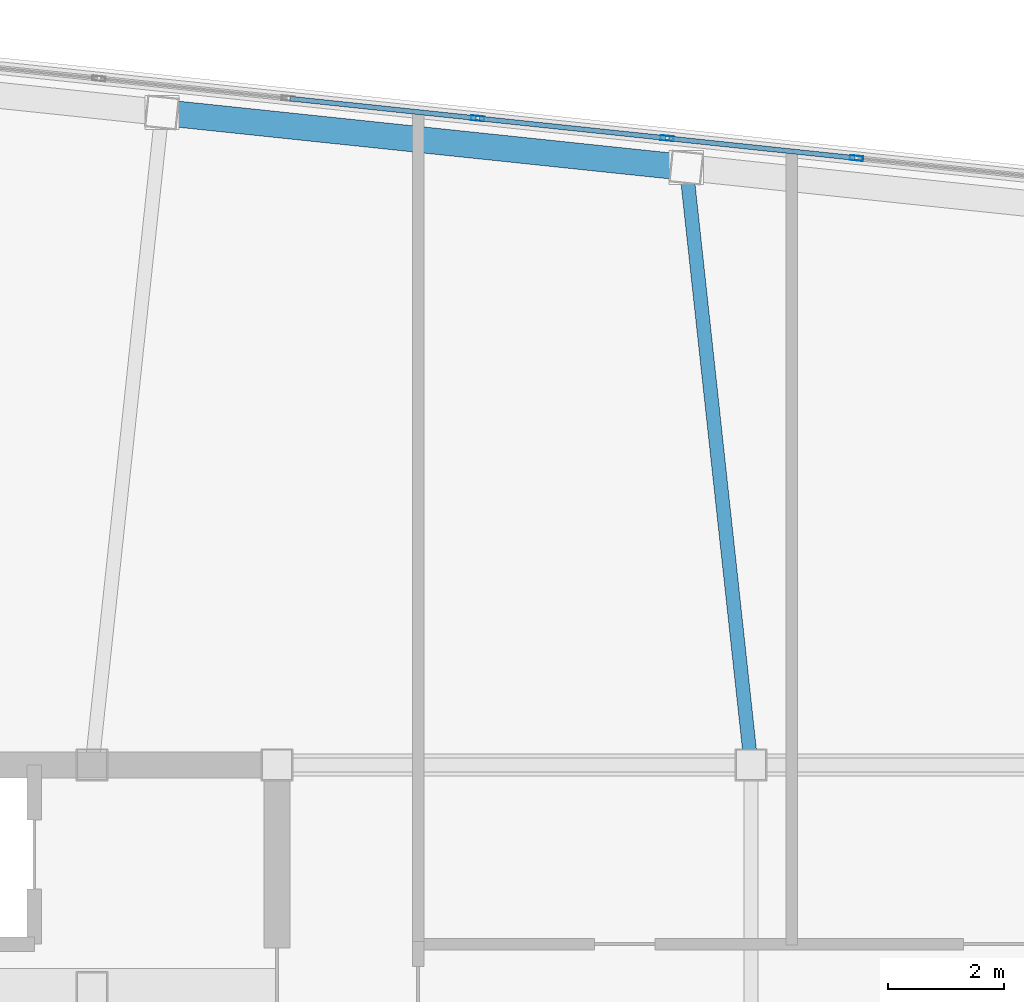
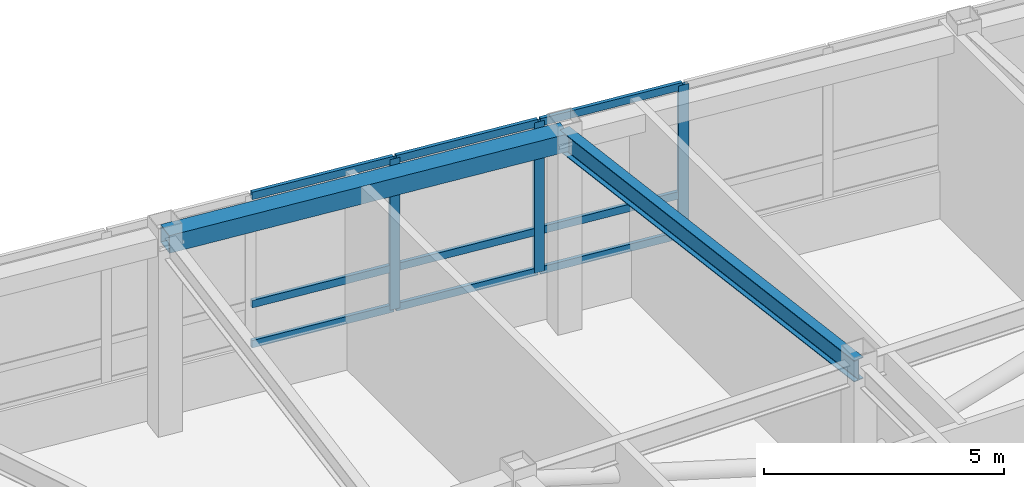
# One storey, part 15 of 23: 12 members, 2 beams, 1 element without a shape of its own.
"""IFC4 building model written with IfcOpenShell, lengths in metres."""

from ifc_helpers import new_model, si_unit, direction, frame, origin, origin_2d, place, context, subcontext, project, spatial, hollow_rectangle, i_section, extrude, material, layer, layer_set, material_profile, profile_set, type_object, element, aggregate, save


model = new_model("IFC4")

# Units and contexts
model_context = context("Model", 3, precision=1e-05, world=origin(), true_north=direction((0.0, 1.0)))
body_context = subcontext(model_context, "Body", "Model", "MODEL_VIEW")
ifc_project = project(units=[si_unit("LENGTHUNIT", "METRE"), si_unit("AREAUNIT", "SQUARE_METRE"), si_unit("VOLUMEUNIT", "CUBIC_METRE"), si_unit("PLANEANGLEUNIT", "RADIAN"), si_unit("MASSUNIT", "GRAM", prefix="KILO")], contexts=[model_context])

# Site, building, storey
site_placement = place(None, origin())
site = spatial("IfcSite", under=ifc_project, at=site_placement, CompositionType="ELEMENT")
building_placement = place(site_placement, origin())
building = spatial("IfcBuilding", under=site, at=building_placement, Name="Voryun Gate Residences", CompositionType="ELEMENT")
storey_placement = place(building_placement, frame((0.0, 0.0, 326.60009765625)))
storey = spatial("IfcBuildingStorey", under=building, at=storey_placement, Name="L80", CompositionType="ELEMENT", Elevation=326.60009765625)

# Beams
ifc_material_1 = material(Name="Steel SM355", Category="steel")
ifc_material_profile_1 = material_profile(ifc_material_1, hollow_rectangle(XDim=0.449951171875, YDim=0.449951171875, WallThickness=0.01806640625, at=origin_2d()), Name="BOX-450x450x18")
ifc_profile_set_1 = profile_set([ifc_material_profile_1], Name="Steel SM355")
beam_type_1 = type_object("IfcBeamType", Name="BM_CROWN_RING", PredefinedType="BEAM", material=ifc_profile_set_1)
beam_1_placement = place(storey_placement, frame((-5.321533203125, 17.731689453125, 4.7998046875), z_axis=(-0.994523919568, 0.104509202498, 0.0), x_axis=(-0.104509202498, -0.994523919568, 0.0)))
element("IfcBeam", 1, at=beam_1_placement, inside=storey, type_object=beam_type_1, Name="BM-L80-SPAND-14", PredefinedType="BEAM", context=body_context, shape_type="SweptSolid", body=[
    extrude(hollow_rectangle(XDim=0.449951171875, YDim=0.449951171875, WallThickness=0.01806640625, at=origin_2d()), origin(), (0.0, 0.0, 1.0), 9.1201171875),
])
ifc_material_2 = material(Name="Steel SM355", Category="steel")
ifc_material_profile_2 = material_profile(ifc_material_2, i_section(OverallWidth=0.239990234375, OverallDepth=0.550048828125, WebThickness=0.011962890625, FlangeThickness=0.02001953125, FilletRadius=0.01806640625, at=origin_2d()), Name="H-550x240x12x20")
ifc_profile_set_2 = profile_set([ifc_material_profile_2], Name="Steel SM355")
beam_type_2 = type_object("IfcBeamType", Name="BM_GIRD_550", PredefinedType="USERDEFINED", material=ifc_profile_set_2)
beam_2_placement = place(storey_placement, frame((-4.199951171875, 7.39990234375, 4.75), z_axis=(-0.107922397085, 0.99415932134, 0.0), x_axis=(-0.99415932134, -0.107922397085, 0.0)))
element("IfcBeam", 2, at=beam_2_placement, inside=storey, type_object=beam_type_2, Name="BM-L80-RAD-N4", ObjectType="GIRDER", PredefinedType="USERDEFINED", context=body_context, shape_type="SweptSolid", body=[
    extrude(i_section(OverallWidth=0.239990234375, OverallDepth=0.550048828125, WebThickness=0.011962890625, FlangeThickness=0.02001953125, FilletRadius=0.01806640625, at=origin_2d()), origin(), (0.0, 0.0, 1.0), 10.392578125),
])

# Curtain wall, members
ifc_material_3 = material(Name="Anodised aluminium", Category="aluminium")
ifc_layer = layer(ifc_material_3, 0.22998046875, Name="CW_SYS_LANTERN_DARK_GLASS")
ifc_layer_set = layer_set([ifc_layer], Name="Anodised aluminium")
curtain_wall_type = type_object("IfcCurtainWallType", Name="CW_SYS_LANTERN_DARK_GLASS", PredefinedType="NOTDEFINED", material=ifc_layer_set)
curtain_wall_placement = place(storey_placement, origin())
curtain_wall = element("IfcCurtainWall", 3, at=curtain_wall_placement, inside=storey, type_object=curtain_wall_type, Name="Curtain wall CW6-L80-11", PredefinedType="NOTDEFINED")
ifc_material_4 = material(Name="Anodised aluminium", Category="aluminium")
ifc_material_profile_3 = material_profile(ifc_material_4, hollow_rectangle(XDim=0.0849609375, YDim=0.22998046875, WallThickness=0.006103515625, at=origin_2d()), Name="ALU-MULL-230x85x6")
ifc_profile_set_3 = profile_set([ifc_material_profile_3], Name="Anodised aluminium")
member_type_1 = type_object("IfcMemberType", Name="CW_MULL_LANT", PredefinedType="MULLION", material=ifc_profile_set_3)
member_1_placement = place(storey_placement, frame((-8.928955078125, 18.583251953125, 1.18994140625), z_axis=(0.0, 0.0, 1.0), x_axis=(0.10452775858, 0.994521969434, 0.0)))
member_1 = element("IfcMember", 4, at=member_1_placement, type_object=member_type_1, Name="CW6 mullion 5", PredefinedType="MULLION", context=body_context, shape_type="SweptSolid", body=[
    extrude(hollow_rectangle(XDim=0.0849609375, YDim=0.22998046875, WallThickness=0.006103515625, at=origin_2d()), origin(), (0.0, 0.0, 1.0), 3.8349609375),
])
member_2_placement = place(storey_placement, frame((-5.65234375, 18.239013671875, 1.18994140625), z_axis=(0.0, 0.0, 1.0), x_axis=(0.10452775858, 0.994521969434, 0.0)))
member_2 = element("IfcMember", 5, at=member_2_placement, type_object=member_type_1, Name="CW6 mullion 6", PredefinedType="MULLION", context=body_context, shape_type="SweptSolid", body=[
    extrude(hollow_rectangle(XDim=0.0849609375, YDim=0.22998046875, WallThickness=0.006103515625, at=origin_2d()), origin(), (0.0, 0.0, 1.0), 3.8349609375),
])
member_3_placement = place(storey_placement, frame((-2.375732421875, 17.89453125, 1.18994140625), z_axis=(0.0, 0.0, 1.0), x_axis=(0.10452775858, 0.994521969434, 0.0)))
member_3 = element("IfcMember", 6, at=member_3_placement, type_object=member_type_1, Name="CW6 mullion 7", PredefinedType="MULLION", context=body_context, shape_type="SweptSolid", body=[
    extrude(hollow_rectangle(XDim=0.0849609375, YDim=0.22998046875, WallThickness=0.006103515625, at=origin_2d()), origin(), (0.0, 0.0, 1.0), 3.8349609375),
])
ifc_material_5 = material(Name="Anodised aluminium", Category="aluminium")
ifc_material_profile_4 = material_profile(ifc_material_5, hollow_rectangle(XDim=0.0849609375, YDim=0.18994140625, WallThickness=0.006103515625, at=origin_2d()), Name="ALU-TRAN-190x85x6")
ifc_profile_set_4 = profile_set([ifc_material_profile_4], Name="Anodised aluminium")
member_type_2 = type_object("IfcMemberType", Name="CW_TRAN_LANT", PredefinedType="USERDEFINED", material=ifc_profile_set_4)
member_4_placement = place(storey_placement, frame((-12.17578125, 18.924560546875, 1.219970703125), z_axis=(0.994521569819, -0.104531560613, 0.0), x_axis=(0.104531560613, 0.994521569819, 0.0)))
member_4 = element("IfcMember", 7, at=member_4_placement, type_object=member_type_2, Name="CW6 transom 4.1", ObjectType="TRANSOM", PredefinedType="USERDEFINED", context=body_context, shape_type="SweptSolid", body=[
    extrude(hollow_rectangle(XDim=0.0849609375, YDim=0.18994140625, WallThickness=0.006103515625, at=origin_2d()), origin(), (0.0, 0.0, 1.0), 3.23486328125),
])
member_5_placement = place(storey_placement, frame((-12.17578125, 18.924560546875, 2.239990234375), z_axis=(0.994521569819, -0.104531560613, 0.0), x_axis=(0.104531560613, 0.994521569819, 0.0)))
member_5 = element("IfcMember", 8, at=member_5_placement, type_object=member_type_2, Name="CW6 transom 4.2", ObjectType="TRANSOM", PredefinedType="USERDEFINED", context=body_context, shape_type="SweptSolid", body=[
    extrude(hollow_rectangle(XDim=0.0849609375, YDim=0.18994140625, WallThickness=0.006103515625, at=origin_2d()), origin(), (0.0, 0.0, 1.0), 3.23486328125),
])
member_6_placement = place(storey_placement, frame((-12.17578125, 18.924560546875, 4.994873046875), z_axis=(0.994521569819, -0.104531560613, 0.0), x_axis=(0.104531560613, 0.994521569819, 0.0)))
member_6 = element("IfcMember", 9, at=member_6_placement, type_object=member_type_2, Name="CW6 transom 4.3", ObjectType="TRANSOM", PredefinedType="USERDEFINED", context=body_context, shape_type="SweptSolid", body=[
    extrude(hollow_rectangle(XDim=0.0849609375, YDim=0.18994140625, WallThickness=0.006103515625, at=origin_2d()), origin(), (0.0, 0.0, 1.0), 3.23486328125),
])
member_7_placement = place(storey_placement, frame((-8.899169921875, 18.580322265625, 1.219970703125), z_axis=(0.994521569819, -0.104531560613, 0.0), x_axis=(0.104531560613, 0.994521569819, 0.0)))
member_7 = element("IfcMember", 10, at=member_7_placement, type_object=member_type_2, Name="CW6 transom 5.1", ObjectType="TRANSOM", PredefinedType="USERDEFINED", context=body_context, shape_type="SweptSolid", body=[
    extrude(hollow_rectangle(XDim=0.0849609375, YDim=0.18994140625, WallThickness=0.006103515625, at=origin_2d()), origin(), (0.0, 0.0, 1.0), 3.23486328125),
])
member_8_placement = place(storey_placement, frame((-8.899169921875, 18.580322265625, 2.239990234375), z_axis=(0.994521569819, -0.104531560613, 0.0), x_axis=(0.104531560613, 0.994521569819, 0.0)))
member_8 = element("IfcMember", 11, at=member_8_placement, type_object=member_type_2, Name="CW6 transom 5.2", ObjectType="TRANSOM", PredefinedType="USERDEFINED", context=body_context, shape_type="SweptSolid", body=[
    extrude(hollow_rectangle(XDim=0.0849609375, YDim=0.18994140625, WallThickness=0.006103515625, at=origin_2d()), origin(), (0.0, 0.0, 1.0), 3.23486328125),
])
member_9_placement = place(storey_placement, frame((-8.899169921875, 18.580322265625, 4.994873046875), z_axis=(0.994521569819, -0.104531560613, 0.0), x_axis=(0.104531560613, 0.994521569819, 0.0)))
member_9 = element("IfcMember", 12, at=member_9_placement, type_object=member_type_2, Name="CW6 transom 5.3", ObjectType="TRANSOM", PredefinedType="USERDEFINED", context=body_context, shape_type="SweptSolid", body=[
    extrude(hollow_rectangle(XDim=0.0849609375, YDim=0.18994140625, WallThickness=0.006103515625, at=origin_2d()), origin(), (0.0, 0.0, 1.0), 3.23486328125),
])
member_10_placement = place(storey_placement, frame((-5.62255859375, 18.23583984375, 1.219970703125), z_axis=(0.994521569819, -0.104531560613, 0.0), x_axis=(0.104531560613, 0.994521569819, 0.0)))
member_10 = element("IfcMember", 13, at=member_10_placement, type_object=member_type_2, Name="CW6 transom 6.1", ObjectType="TRANSOM", PredefinedType="USERDEFINED", context=body_context, shape_type="SweptSolid", body=[
    extrude(hollow_rectangle(XDim=0.0849609375, YDim=0.18994140625, WallThickness=0.006103515625, at=origin_2d()), origin(), (0.0, 0.0, 1.0), 3.23486328125),
])
member_11_placement = place(storey_placement, frame((-5.62255859375, 18.23583984375, 2.239990234375), z_axis=(0.994521569819, -0.104531560613, 0.0), x_axis=(0.104531560613, 0.994521569819, 0.0)))
member_11 = element("IfcMember", 14, at=member_11_placement, type_object=member_type_2, Name="CW6 transom 6.2", ObjectType="TRANSOM", PredefinedType="USERDEFINED", context=body_context, shape_type="SweptSolid", body=[
    extrude(hollow_rectangle(XDim=0.0849609375, YDim=0.18994140625, WallThickness=0.006103515625, at=origin_2d()), origin(), (0.0, 0.0, 1.0), 3.23486328125),
])
member_12_placement = place(storey_placement, frame((-5.62255859375, 18.23583984375, 4.994873046875), z_axis=(0.994521569819, -0.104531560613, 0.0), x_axis=(0.104531560613, 0.994521569819, 0.0)))
member_12 = element("IfcMember", 15, at=member_12_placement, type_object=member_type_2, Name="CW6 transom 6.3", ObjectType="TRANSOM", PredefinedType="USERDEFINED", context=body_context, shape_type="SweptSolid", body=[
    extrude(hollow_rectangle(XDim=0.0849609375, YDim=0.18994140625, WallThickness=0.006103515625, at=origin_2d()), origin(), (0.0, 0.0, 1.0), 3.23486328125),
])
aggregate(curtain_wall, [member_1, member_2, member_3, member_4, member_5, member_6, member_7, member_8, member_9, member_10, member_11, member_12])

save(model, "model.ifc")
